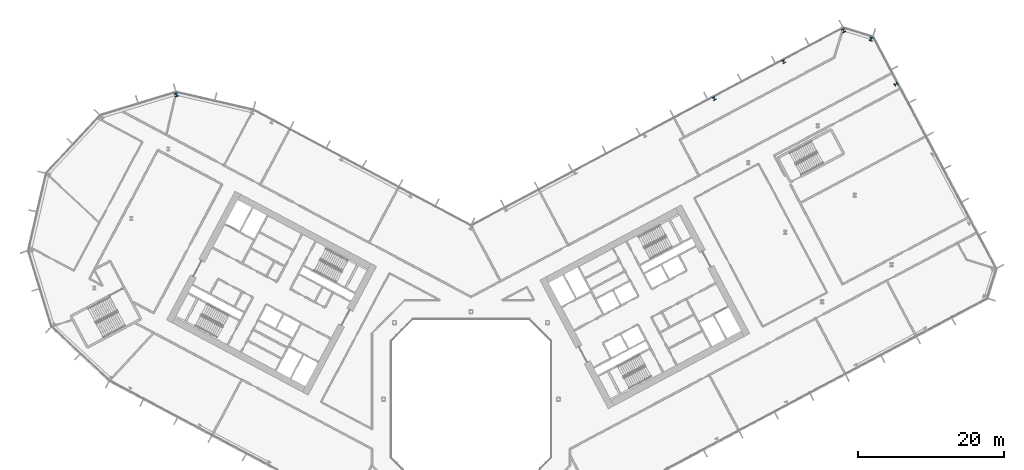
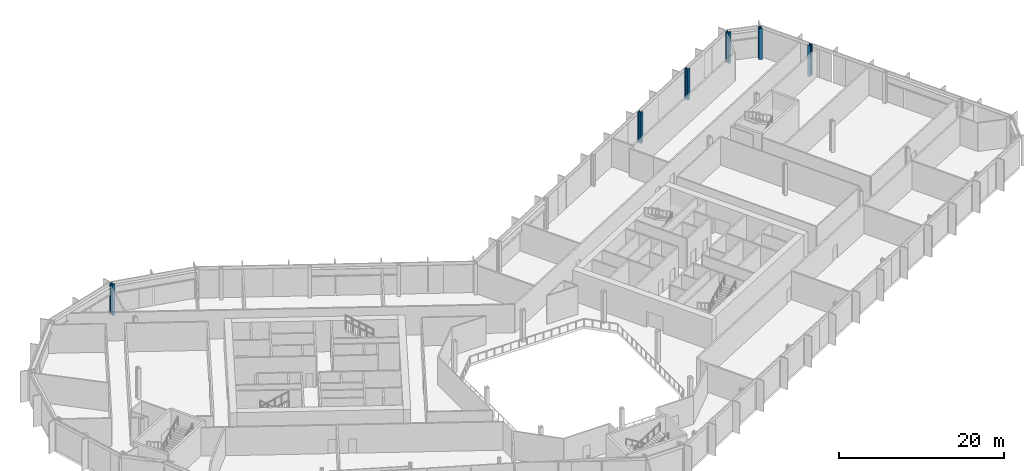
# One storey, part 5 of 32: 6 columns.
"""IFC4 building model written with IfcOpenShell, lengths in metres."""

import ifcopenshell
import ifcopenshell.guid

model = None  # the IFC model being written
_history = None  # IfcOwnerHistory: only IFC2X3 demands one
_inside = {}  # id of a spatial element -> (the spatial element, [elements in it])
_under = {}  # id of a project, library or spatial element -> (it, [spatial elements below it])
_declared = {}  # id of a project -> (the project, [libraries it declares])
_typed = {}  # id of a type object -> (the type object, [elements of that type])
_made_of = {}  # id of a material, layer set ... -> (it, [elements and type objects made of it])


def new_model(schema):
    """Start an empty IFC model of exactly this schema.

    Asked for "IFC4X3", IfcOpenShell would pick the latest addendum, in which some entities
    have other attributes; the version numbers below select the first issue.
    IFC2X3 requires an IfcOwnerHistory on every rooted entity: one is made here for all.
    """
    global model, _history
    if schema == "IFC4X3":
        model = ifcopenshell.file(schema_version=(4, 3, 0, 0))
    else:
        model = ifcopenshell.file(schema=schema)
    _inside.clear()
    _under.clear()
    _declared.clear()
    _typed.clear()
    _made_of.clear()
    _history = None
    if model.schema == "IFC2X3":
        org = make("IfcOrganization", Name="unknown")
        user = make(
            "IfcPersonAndOrganization",
            ThePerson=make("IfcPerson", FamilyName="unknown"),
            TheOrganization=org,
        )
        app = make(
            "IfcApplication",
            ApplicationDeveloper=org,
            Version="unknown",
            ApplicationFullName="unknown",
            ApplicationIdentifier="unknown",
        )
        _history = make(
            "IfcOwnerHistory",
            OwningUser=user,
            OwningApplication=app,
            ChangeAction="ADDED",
            CreationDate=0,
        )
    return model


def make(cls, **values):
    """One entity of the class cls with the attributes given. An attribute that is None is left unset."""
    return model.create_entity(
        cls, **{name: value for name, value in values.items() if value is not None}
    )


def rooted(cls, **values):
    """An entity with a GlobalId (a new one), such as an element, a storey or a relation."""
    return make(cls, GlobalId=ifcopenshell.guid.new(), OwnerHistory=_history, **values)


def si_unit(unit_type, name, prefix=None):
    """IfcSIUnit, for example si_unit("LENGTHUNIT", "METRE", prefix="MILLI")."""
    return make("IfcSIUnit", UnitType=unit_type, Prefix=prefix, Name=name)


def assignment(units):
    """IfcUnitAssignment: the units of a project."""
    return None if units is None else make("IfcUnitAssignment", Units=units)


def point(xyz):
    """IfcCartesianPoint."""
    return None if xyz is None else make("IfcCartesianPoint", Coordinates=xyz)


def direction(xyz):
    """IfcDirection."""
    return None if xyz is None else make("IfcDirection", DirectionRatios=xyz)


def frame(location, z_axis=None, x_axis=None):
    """IfcAxis2Placement3D, a coordinate frame: its origin and axes. An axis left out is left unset."""
    return make(
        "IfcAxis2Placement3D",
        Location=point(location),
        Axis=direction(z_axis),
        RefDirection=direction(x_axis),
    )


def frame_2d(location, x_axis=None):
    """IfcAxis2Placement2D, a coordinate frame in the plane: its origin and x axis."""
    return make(
        "IfcAxis2Placement2D", Location=point(location), RefDirection=direction(x_axis)
    )


def origin():
    """The frame at (0, 0, 0) with its axes left unset."""
    return frame((0.0, 0.0, 0.0))


def origin_2d():
    """The frame at (0, 0) in the plane with its x axis left unset."""
    return frame_2d((0.0, 0.0))


def place(relative_to, where):
    """IfcLocalPlacement: puts the frame where relative to a parent placement (None: the world)."""
    return make(
        "IfcLocalPlacement", PlacementRelTo=relative_to, RelativePlacement=where
    )


def context(
    kind, dimensions, precision=None, world=None, true_north=None, identifier=None
):
    """IfcGeometricRepresentationContext, for example the 3D "Model" context."""
    return make(
        "IfcGeometricRepresentationContext",
        ContextIdentifier=identifier,
        ContextType=kind,
        CoordinateSpaceDimension=dimensions,
        Precision=precision,
        WorldCoordinateSystem=world,
        TrueNorth=true_north,
    )


def subcontext(parent, identifier, kind, view, scale=None):
    """IfcGeometricRepresentationSubContext, for example "Body" below "Model"."""
    return make(
        "IfcGeometricRepresentationSubContext",
        ContextIdentifier=identifier,
        ContextType=kind,
        ParentContext=parent,
        TargetScale=scale,
        TargetView=view,
    )


def project(units=None, contexts=None):
    """IfcProject with its units and contexts."""
    return rooted(
        "IfcProject",
        Name="project",
        RepresentationContexts=contexts,
        UnitsInContext=assignment(units),
    )


def spatial(cls, under=None, at=None, **own):
    """A site, building, storey or space (cls), placed at a placement, below another one or the project."""
    s = rooted(cls, ObjectPlacement=at, **own)
    if under is not None:
        _under.setdefault(under.id(), (under, []))[1].append(s)
    return s


def profile(cls, at=None, kind="AREA", **sizes):
    """A parametric profile (cls). Its sizes go by their IFC names, for example OverallWidth=200.0."""
    return make(cls, ProfileType=kind, Position=at, **sizes)


def i_section(**sizes):
    """IfcIShapeProfileDef."""
    return profile("IfcIShapeProfileDef", **sizes)


def extrude(swept, where, along, depth):
    """IfcExtrudedAreaSolid: the profile swept, set in the frame where, extruded along a direction by depth."""
    return make(
        "IfcExtrudedAreaSolid",
        SweptArea=swept,
        Position=where,
        ExtrudedDirection=direction(along),
        Depth=depth,
    )


def shape(context_of_items, identifier, shape_type, items):
    """IfcShapeRepresentation: the items that make up one representation, for example the "Body"."""
    return make(
        "IfcShapeRepresentation",
        ContextOfItems=context_of_items,
        RepresentationIdentifier=identifier,
        RepresentationType=shape_type,
        Items=items,
    )


def material(Name=None, Category=None):
    """IfcMaterial."""
    return make("IfcMaterial", Name=Name, Category=Category)


def material_profile(
    of_material, cross_section, Name=None, Category=None, Priority=None
):
    """IfcMaterialProfile: a cross section and its material."""
    return make(
        "IfcMaterialProfile",
        Name=Name,
        Material=of_material,
        Profile=cross_section,
        Priority=Priority,
        Category=Category,
    )


def profile_set(profiles, Name=None, composite=None):
    """IfcMaterialProfileSet."""
    return make(
        "IfcMaterialProfileSet",
        Name=Name,
        MaterialProfiles=profiles,
        CompositeProfile=composite,
    )


def made_of(thing, what):
    """Note that an element or type object is made of a material, layer set ...; save() writes the relation."""
    if what is not None:
        _made_of.setdefault(what.id(), (what, []))[1].append(thing)
    return thing


def type_object(cls, material=None, **own):
    """A type object (cls), such as IfcWallType, which elements share."""
    return made_of(rooted(cls, **own), material)


def element(
    cls,
    number,
    at=None,
    inside=None,
    cuts=None,
    type_object=None,
    material=None,
    context=None,
    identifier="Body",
    shape_type=None,
    held_by="IfcProductDefinitionShape",
    body=None,
    shapes=None,
    **own,
):
    """One element of the class cls, such as IfcWall. Its Tag is "e" and its number.

    at: its placement. inside: the storey or other place that contains it. cuts: it is an
    opening in that element (IfcRelVoidsElement). A single representation is given by context,
    identifier, shape_type and body (its items); several are given by shapes. held_by: the class
    of the entity that holds the representations. save() writes the other relations.
    """
    e = rooted(cls, Tag="e%d" % number, ObjectPlacement=at, **own)
    if body is not None:
        shapes = [shape(context, identifier, shape_type, body)]
    if shapes is not None:
        e.Representation = make(held_by, Representations=shapes)
    if inside is not None:
        _inside.setdefault(inside.id(), (inside, []))[1].append(e)
    if cuts is not None:
        rooted(
            "IfcRelVoidsElement", RelatingBuildingElement=cuts, RelatedOpeningElement=e
        )
    if type_object is not None:
        _typed.setdefault(type_object.id(), (type_object, []))[1].append(e)
    return made_of(e, material)


def aggregate(whole, parts):
    """IfcRelAggregates: a whole, such as a stair, and the parts it consists of."""
    return rooted("IfcRelAggregates", RelatingObject=whole, RelatedObjects=parts)


def save(model, path):
    """Write the relations noted so far, then the file.

    IfcRelAggregates (storeys below a building ...), IfcRelContainedInSpatialStructure (elements
    in a storey), IfcRelDefinesByType, IfcRelAssociatesMaterial and IfcRelDeclares: one each for
    every whole, place, type object, material and project.
    """
    for whole, parts in _under.values():
        aggregate(whole, parts)
    for where, things in _inside.values():
        rooted(
            "IfcRelContainedInSpatialStructure",
            RelatedElements=things,
            RelatingStructure=where,
        )
    for kind, things in _typed.values():
        rooted("IfcRelDefinesByType", RelatedObjects=things, RelatingType=kind)
    for what, things in _made_of.values():
        rooted("IfcRelAssociatesMaterial", RelatedObjects=things, RelatingMaterial=what)
    for by, libraries in _declared.values():
        rooted("IfcRelDeclares", RelatingContext=by, RelatedDefinitions=libraries)
    model.write(path)


model = new_model("IFC4")

# Units and contexts
model_context = context("Model", 3, precision=1e-05, world=origin(), true_north=direction((0.0, 1.0)))
body_context = subcontext(model_context, "Body", "Model", "MODEL_VIEW")
ifc_project = project(units=[si_unit("LENGTHUNIT", "METRE"), si_unit("AREAUNIT", "SQUARE_METRE"), si_unit("VOLUMEUNIT", "CUBIC_METRE"), si_unit("PLANEANGLEUNIT", "RADIAN"), si_unit("MASSUNIT", "GRAM", prefix="KILO")], contexts=[model_context])

# Site, building, storey
site_placement = place(None, origin())
site = spatial("IfcSite", under=ifc_project, at=site_placement, CompositionType="ELEMENT")
building_placement = place(site_placement, origin())
building = spatial("IfcBuilding", under=site, at=building_placement, Name="Cormorant Relay Tower", CompositionType="ELEMENT")
storey_placement = place(building_placement, frame((0.0, 0.0, 66.199951171875)))
storey = spatial("IfcBuildingStorey", under=building, at=storey_placement, Name="L12", CompositionType="ELEMENT", Elevation=66.199951171875)

# Columns
ifc_material_1 = material(Name="Steel ASTM A992 (Fy 345 MPa)", Category="steel")
ifc_material_profile_1 = material_profile(ifc_material_1, i_section(OverallWidth=0.42431640625, OverallDepth=0.47509765625, WebThickness=0.0478515625, FlangeThickness=0.0771484375, FilletRadius=0.014892578125, at=origin_2d()), Name="W360x634")
ifc_profile_set_1 = profile_set([ifc_material_profile_1], Name="Steel ASTM A992 (Fy 345 MPa)")
column_type_1 = type_object("IfcColumnType", Name="Column W360x634", PredefinedType="COLUMN", material=ifc_profile_set_1)
for number, where, z_axis, x_axis, name in (
    (1, (33.342041015625, 41.239990234375, 0.0), (0.0, 0.0, 1.0), (-0.882947592859, -0.469471562786, 0.0), "Column L12-049"),
    (2, (58.2900390625, 43.22509765625, 0.0), (0.0, 0.0, 1.0), (-0.469471562786, 0.882947592859, 0.0), "Column L12-051"),
    (3, (42.876953125, 46.31005859375, 0.0), (0.0, 0.0, 1.0), (-0.882947592859, -0.469471562786, 0.0), "Column L12-052"),
):
    element("IfcColumn", number, at=place(storey_placement, frame(where, z_axis=z_axis, x_axis=x_axis)), inside=storey, type_object=column_type_1, Name=name, PredefinedType="COLUMN", context=body_context, shape_type="SweptSolid", body=[
        extrude(i_section(OverallWidth=0.42431640625, OverallDepth=0.47509765625, WebThickness=0.0478515625, FlangeThickness=0.0771484375, FilletRadius=0.014892578125, at=origin_2d()), origin(), (0.0, 0.0, 1.0), 4.60009765625),
    ])
ifc_material_2 = material(Name="Steel ASTM A992 (Fy 345 MPa)", Category="steel")
ifc_material_profile_2 = material_profile(ifc_material_2, i_section(OverallWidth=0.43701171875, OverallDepth=0.51318359375, WebThickness=0.060546875, FlangeThickness=0.096923828125, FilletRadius=0.015380859375, at=origin_2d()), Name="W360x818")
ifc_profile_set_2 = profile_set([ifc_material_profile_2], Name="Steel ASTM A992 (Fy 345 MPa)")
column_type_2 = type_object("IfcColumnType", Name="Column W360x818", PredefinedType="COLUMN", material=ifc_profile_set_2)
for number, where, z_axis, x_axis, name in (
    (4, (-40.452880859375, 41.763916015625, 0.0), (0.0, 0.0, 1.0), (-0.956304755963, -0.292371704723, 0.0), "Column L12-050"),
    (5, (54.885986328125, 49.409912109375, 0.0), (0.0, 0.0, 1.0), (-0.956304755963, 0.292371704723, 0.0), "Column L12-053"),
    (6, (51.10009765625, 50.56689453125, 0.0), (0.0, 0.0, 1.0), (-0.882947592859, -0.469471562786, 0.0), "Column L12-054"),
):
    element("IfcColumn", number, at=place(storey_placement, frame(where, z_axis=z_axis, x_axis=x_axis)), inside=storey, type_object=column_type_2, Name=name, PredefinedType="COLUMN", context=body_context, shape_type="SweptSolid", body=[
        extrude(i_section(OverallWidth=0.43701171875, OverallDepth=0.51318359375, WebThickness=0.060546875, FlangeThickness=0.096923828125, FilletRadius=0.015380859375, at=origin_2d()), origin(), (0.0, 0.0, 1.0), 4.60009765625),
    ])

save(model, "model.ifc")
